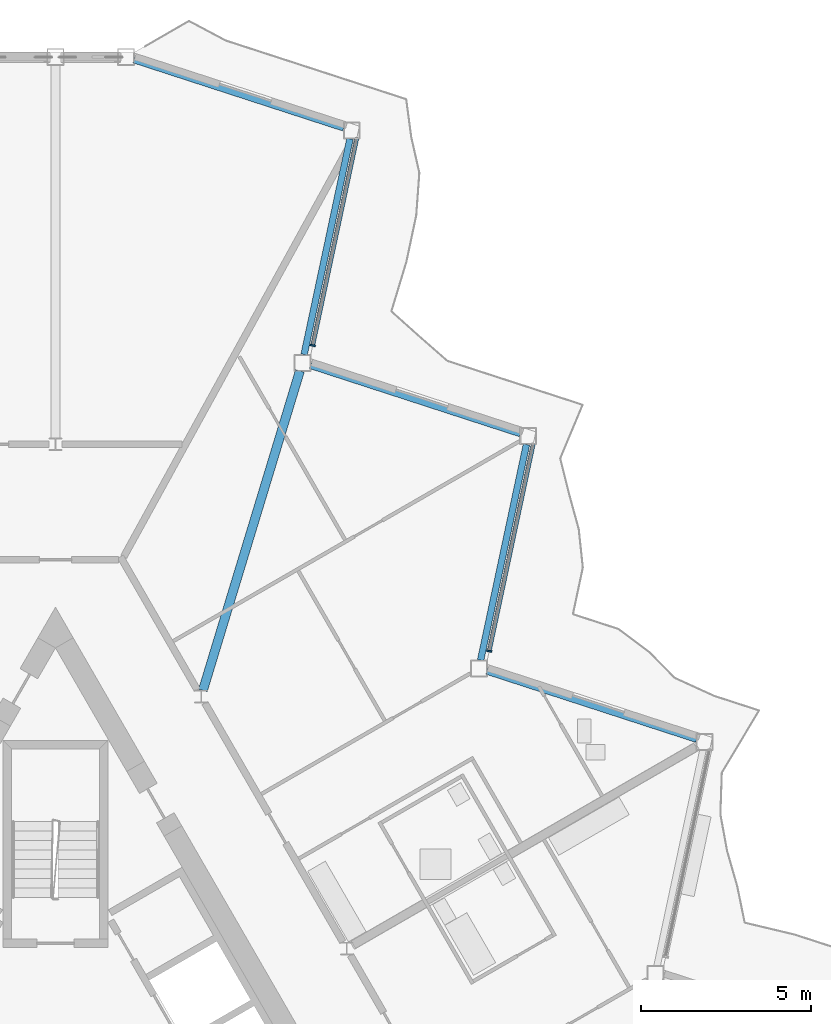
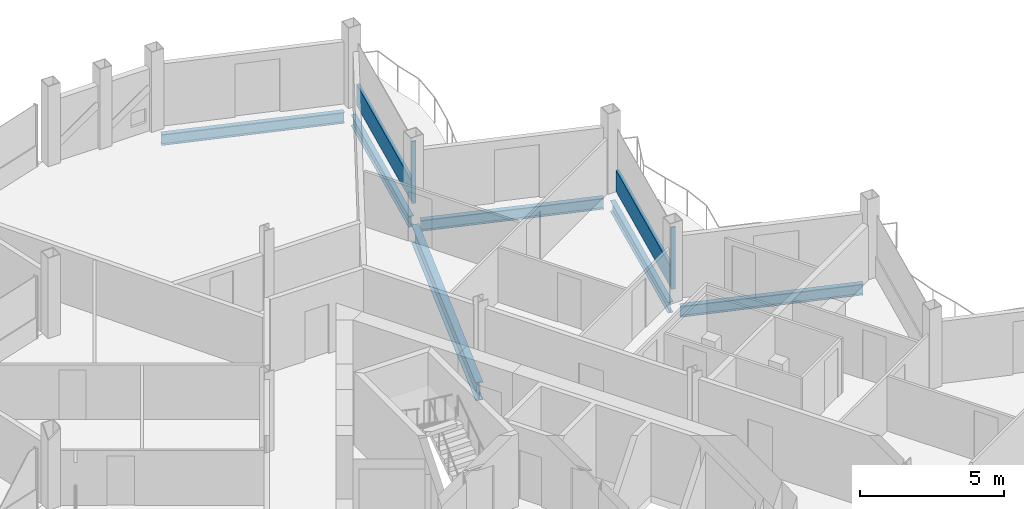
# One storey, part 10 of 25: 6 beams, 4 members, 2 elements without a shape of their own.
"""IFC4 building model written with IfcOpenShell, lengths in metres."""

from ifc_helpers import new_model, si_unit, direction, frame, origin, origin_2d, place, context, subcontext, project, spatial, rectangle, i_section, extrude, material, layer, layer_set, material_profile, profile_set, type_object, element, aggregate, save


model = new_model("IFC4")

# Units and contexts
model_context = context("Model", 3, precision=1e-05, world=origin(), true_north=direction((0.0, 1.0)))
body_context = subcontext(model_context, "Body", "Model", "MODEL_VIEW")
ifc_project = project(units=[si_unit("LENGTHUNIT", "METRE"), si_unit("AREAUNIT", "SQUARE_METRE"), si_unit("VOLUMEUNIT", "CUBIC_METRE"), si_unit("PLANEANGLEUNIT", "RADIAN"), si_unit("MASSUNIT", "GRAM", prefix="KILO")], contexts=[model_context])

# Site, building, storey
site_placement = place(None, origin())
site = spatial("IfcSite", under=ifc_project, at=site_placement, CompositionType="ELEMENT")
building_placement = place(site_placement, origin())
building = spatial("IfcBuilding", under=site, at=building_placement, Name="Cormorant Prow Tower", CompositionType="ELEMENT")
storey_placement = place(building_placement, frame((0.0, 0.0, 395.0)))
storey = spatial("IfcBuildingStorey", under=building, at=storey_placement, Name="L90", CompositionType="ELEMENT", Elevation=395.0)

# Beam
ifc_material_1 = material(Name="Structural steel ASTM A992 Gr 50", Category="steel")
ifc_material_profile_1 = material_profile(ifc_material_1, i_section(OverallWidth=0.267822265625, OverallDepth=0.77001953125, WebThickness=0.015625, FlangeThickness=0.025390625, at=origin_2d()), Name="W30x132")
ifc_profile_set_1 = profile_set([ifc_material_profile_1], Name="Structural steel ASTM A992 Gr 50")
beam_type_1 = type_object("IfcBeamType", Name="Radial floor beam W30x132", PredefinedType="BEAM", material=ifc_profile_set_1)
beam_1_placement = place(storey_placement, frame((4.343505859375, 12.560791015625, -0.68505859375), z_axis=(0.290499864147, 0.956875033079, 0.0), x_axis=(-0.956875033079, 0.290499864147, 0.0)))
element("IfcBeam", 1, at=beam_1_placement, inside=storey, type_object=beam_type_1, Name="Radial floor beam FB3 12 L90", PredefinedType="BEAM", context=body_context, shape_type="SweptSolid", body=[
    extrude(i_section(OverallWidth=0.267822265625, OverallDepth=0.77001953125, WebThickness=0.015625, FlangeThickness=0.025390625, at=origin_2d()), origin(), (0.0, 0.0, 1.0), 9.837158203125),
])

# Curtain wall, member
ifc_material_2 = material(Name="Aluminium 6063-T6", Category="aluminium")
ifc_layer = layer(ifc_material_2, 0.159912109375)
ifc_layer_set = layer_set([ifc_layer], Name="Aluminium 6063-T6")
curtain_wall_type = type_object("IfcCurtainWallType", Name="Residential unitised curtain wall 160", PredefinedType="NOTDEFINED", material=ifc_layer_set)
curtain_wall_1_placement = place(storey_placement, origin())
curtain_wall_1 = element("IfcCurtainWall", 2, at=curtain_wall_1_placement, inside=storey, type_object=curtain_wall_type, Name="Residential curtain wall ENE06", PredefinedType="NOTDEFINED")
ifc_material_3 = material(Name="Aluminium 6063-T6", Category="aluminium")
ifc_material_profile_2 = material_profile(ifc_material_3, rectangle(XDim=0.159912109375, YDim=0.050048828125, at=origin_2d()), Name="Residential mullion 50x160")
ifc_profile_set_2 = profile_set([ifc_material_profile_2], Name="Aluminium 6063-T6")
member_type_1 = type_object("IfcMemberType", Name="Residential mullion 50x160", PredefinedType="MULLION", material=ifc_profile_set_2)
member_1_placement = place(storey_placement, frame((12.779541015625, 13.71826171875, 0.0), z_axis=(0.0, 0.0, 1.0), x_axis=(-0.978147615768, 0.207911620089, 0.0)))
member_1 = element("IfcMember", 3, at=member_1_placement, type_object=member_type_1, Name="Residential mullion ENE06", PredefinedType="MULLION", context=body_context, shape_type="SweptSolid", body=[
    extrude(rectangle(XDim=0.159912109375, YDim=0.050048828125, at=origin_2d()), origin(), (0.0, 0.0, 1.0), 2.6337890625),
])

curtain_wall_2_placement = place(storey_placement, origin())
curtain_wall_2 = element("IfcCurtainWall", 4, at=curtain_wall_2_placement, inside=storey, type_object=curtain_wall_type, Name="Residential curtain wall ENE08", PredefinedType="NOTDEFINED")
member_2_placement = place(storey_placement, frame((7.579345703125, 22.724853515625, 0.0), z_axis=(0.0, 0.0, 1.0), x_axis=(-0.978147615768, 0.207911620089, 0.0)))
member_2 = element("IfcMember", 5, at=member_2_placement, type_object=member_type_1, Name="Residential mullion ENE08", PredefinedType="MULLION", context=body_context, shape_type="SweptSolid", body=[
    extrude(rectangle(XDim=0.159912109375, YDim=0.050048828125, at=origin_2d()), origin(), (0.0, 0.0, 1.0), 2.6337890625),
])

# Member
ifc_material_4 = material(Name="Terracotta", Category="masonry")
ifc_material_profile_3 = material_profile(ifc_material_4, rectangle(XDim=0.1201171875, YDim=0.89990234375, at=origin_2d()), Name="Residential terracotta spandrel rail 120x900")
ifc_profile_set_3 = profile_set([ifc_material_profile_3], Name="Terracotta")
member_type_2 = type_object("IfcMemberType", Name="Residential terracotta spandrel rail 120x900", PredefinedType="USERDEFINED", material=ifc_profile_set_3)
member_3_placement = place(storey_placement, frame((12.78466796875, 13.74267578125, 0.449951171875), z_axis=(0.207916541247, 0.978146569731, 0.0), x_axis=(-0.978146569731, 0.207916541247, 0.0)))
member_3 = element("IfcMember", 6, at=member_3_placement, type_object=member_type_2, Name="Residential spandrel rail ENE06", ObjectType="TRANSOM", PredefinedType="USERDEFINED", context=body_context, shape_type="SweptSolid", body=[
    extrude(rectangle(XDim=0.1201171875, YDim=0.89990234375, at=origin_2d()), origin(), (0.0, 0.0, 1.0), 6.215087890625),
])

aggregate(curtain_wall_1, [member_1, member_3])

member_4_placement = place(storey_placement, frame((7.584716796875, 22.749267578125, 0.449951171875), z_axis=(0.207908552773, 0.978148267741, 0.0), x_axis=(-0.978148267741, 0.207908552773, 0.0)))
member_4 = element("IfcMember", 7, at=member_4_placement, type_object=member_type_2, Name="Residential spandrel rail ENE08", ObjectType="TRANSOM", PredefinedType="USERDEFINED", context=body_context, shape_type="SweptSolid", body=[
    extrude(rectangle(XDim=0.1201171875, YDim=0.89990234375, at=origin_2d()), origin(), (0.0, 0.0, 1.0), 6.21533203125),
])

aggregate(curtain_wall_2, [member_2, member_4])

# Beams
ifc_material_5 = material(Name="Structural steel ASTM A992 Gr 50", Category="steel")
ifc_material_profile_4 = material_profile(ifc_material_5, i_section(OverallWidth=0.19287109375, OverallDepth=0.466064453125, WebThickness=0.011474609375, FlangeThickness=0.01904296875, at=origin_2d()), Name="W18x65")
ifc_profile_set_4 = profile_set([ifc_material_profile_4], Name="Structural steel ASTM A992 Gr 50")
beam_type_2 = type_object("IfcBeamType", Name="Spandrel beam W18x65", PredefinedType="SPANDREL", material=ifc_profile_set_4)
beam_2_placement = place(storey_placement, frame((18.890869140625, 11.12109375, -0.532958984375), z_axis=(-0.951053396625, 0.309026595569, 0.0), x_axis=(-0.309026595569, -0.951053396625, 0.0)))
element("IfcBeam", 8, at=beam_2_placement, inside=storey, type_object=beam_type_2, Name="Spandrel beam SB4 ENE05-ENE06 L90", PredefinedType="SPANDREL", context=body_context, shape_type="SweptSolid", body=[
    extrude(i_section(OverallWidth=0.19287109375, OverallDepth=0.466064453125, WebThickness=0.011474609375, FlangeThickness=0.01904296875, at=origin_2d()), origin(), (0.0, 0.0, 1.0), 6.497314453125),
])
beam_3_placement = place(storey_placement, frame((12.52587890625, 13.45068359375, -0.532958984375), z_axis=(0.207901897373, 0.978149682344, 0.0), x_axis=(-0.978149682344, 0.207901897373, 0.0)))
element("IfcBeam", 9, at=beam_3_placement, inside=storey, type_object=beam_type_2, Name="Spandrel beam SB4 ENE06-ENE07 L90", PredefinedType="SPANDREL", context=body_context, shape_type="SweptSolid", body=[
    extrude(i_section(OverallWidth=0.19287109375, OverallDepth=0.466064453125, WebThickness=0.011474609375, FlangeThickness=0.01904296875, at=origin_2d()), origin(), (0.0, 0.0, 1.0), 6.49755859375),
])
beam_4_placement = place(storey_placement, frame((13.69091796875, 20.1279296875, -0.532958984375), z_axis=(-0.951068027308, 0.308981564875, 0.0), x_axis=(-0.308981564875, -0.951068027308, 0.0)))
element("IfcBeam", 10, at=beam_4_placement, inside=storey, type_object=beam_type_2, Name="Spandrel beam SB4 ENE07-ENE08 L90", PredefinedType="SPANDREL", context=body_context, shape_type="SweptSolid", body=[
    extrude(i_section(OverallWidth=0.19287109375, OverallDepth=0.466064453125, WebThickness=0.011474609375, FlangeThickness=0.01904296875, at=origin_2d()), origin(), (0.0, 0.0, 1.0), 6.497314453125),
])
for number, where, z_axis, x_axis, name in (
    (11, (7.32568359375, 22.457275390625, -0.532958984375), (0.20793784774, 0.978142040543, 0.0), (-0.978142040543, 0.20793784774, 0.0), "Spandrel beam SB4 ENE08-ENE09 L90"),
    (12, (8.490966796875, 29.134521484375, -0.532958984375), (-0.951056984862, 0.30901555227, 0.0), (-0.30901555227, -0.951056984862, 0.0), "Spandrel beam SB4 ENE09-N00 L90"),
):
    element("IfcBeam", number, at=place(storey_placement, frame(where, z_axis=z_axis, x_axis=x_axis)), inside=storey, type_object=beam_type_2, Name=name, PredefinedType="SPANDREL", context=body_context, shape_type="SweptSolid", body=[
        extrude(i_section(OverallWidth=0.19287109375, OverallDepth=0.466064453125, WebThickness=0.011474609375, FlangeThickness=0.01904296875, at=origin_2d()), origin(), (0.0, 0.0, 1.0), 6.49755859375),
    ])

save(model, "model.ifc")
